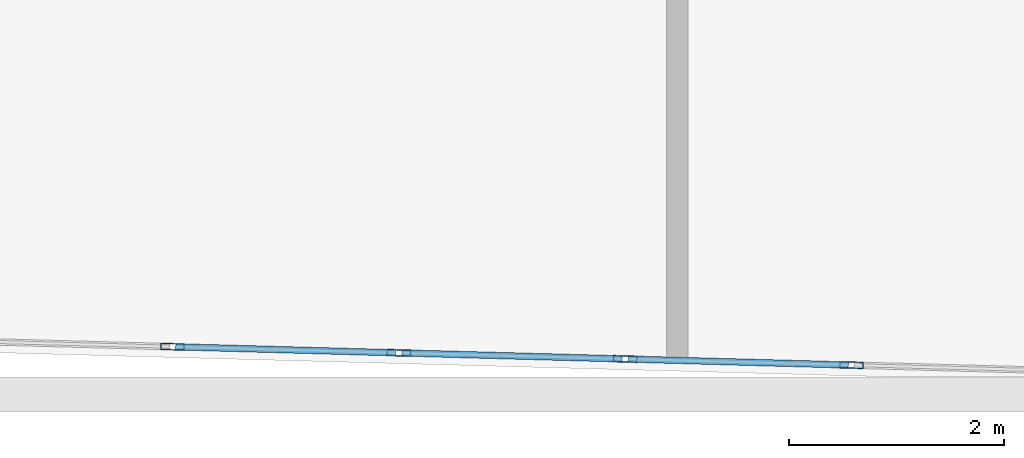
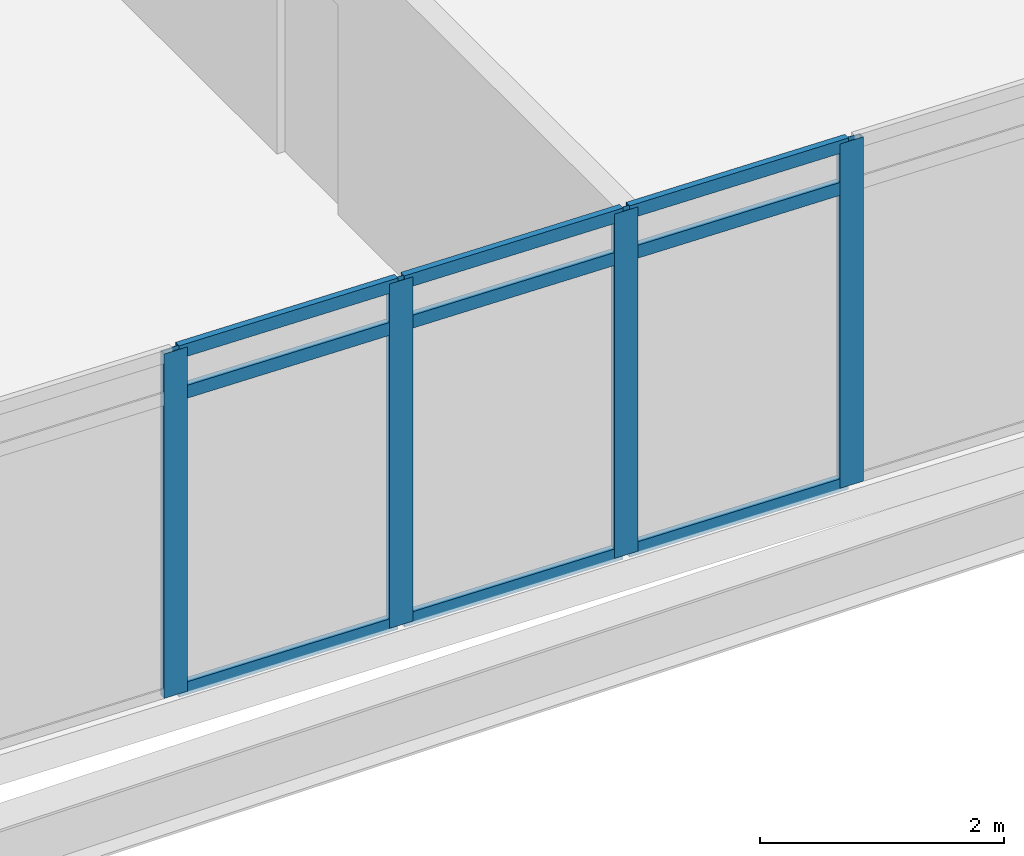
# One storey, part 7 of 28: 13 members, 1 element without a shape of its own.
"""IFC4 building model written with IfcOpenShell, lengths in metres."""

from ifc_helpers import new_model, si_unit, direction, frame, origin, origin_2d, place, context, subcontext, project, spatial, hollow_rectangle, extrude, material, material_profile, profile_set, type_object, element, aggregate, save


model = new_model("IFC4")

# Units and contexts
model_context = context("Model", 3, precision=1e-05, world=origin(), true_north=direction((0.0, 1.0)))
body_context = subcontext(model_context, "Body", "Model", "MODEL_VIEW")
ifc_project = project(units=[si_unit("LENGTHUNIT", "METRE"), si_unit("AREAUNIT", "SQUARE_METRE"), si_unit("VOLUMEUNIT", "CUBIC_METRE"), si_unit("PLANEANGLEUNIT", "RADIAN"), si_unit("MASSUNIT", "GRAM", prefix="KILO")], contexts=[model_context])

# Site, building, storey
site_placement = place(None, origin())
site = spatial("IfcSite", under=ifc_project, at=site_placement, CompositionType="ELEMENT")
building_placement = place(site_placement, origin())
building = spatial("IfcBuilding", under=site, at=building_placement, Name="Ostrander Bayou Hotel Tower", CompositionType="ELEMENT")
storey_placement = place(building_placement, frame((0.0, 0.0, 73.0)))
storey = spatial("IfcBuildingStorey", under=building, at=storey_placement, Name="L18", CompositionType="ELEMENT", Elevation=73.0)

# Curtain wall, members
ifc_material_1 = material(Name="Aluminium and clear glass", Category="aluminium")
curtain_wall_type = type_object("IfcCurtainWallType", Name="CW-BAR glazed wall", PredefinedType="NOTDEFINED", material=ifc_material_1)
curtain_wall_placement = place(storey_placement, origin())
curtain_wall = element("IfcCurtainWall", 1, at=curtain_wall_placement, inside=storey, type_object=curtain_wall_type, Name="CW-BAR L18:SB1S:T", PredefinedType="NOTDEFINED")
ifc_material_2 = material(Name="Aluminium", Category="aluminium")
ifc_material_profile_1 = material_profile(ifc_material_2, hollow_rectangle(XDim=0.06005859375, YDim=0.219970703125, WallThickness=0.00390625, at=origin_2d()))
ifc_profile_set_1 = profile_set([ifc_material_profile_1], Name="Aluminium")
member_type_1 = type_object("IfcMemberType", Name="CW-BR mullion 60 x 220 mm", PredefinedType="MULLION", material=ifc_profile_set_1)
member_1_placement = place(storey_placement, frame((2.101806640625, -32.5068359375, 0.0), z_axis=(0.0, 0.0, 1.0), x_axis=(0.027042484848, 0.999634285133, 0.0)))
member_1 = element("IfcMember", 2, at=member_1_placement, type_object=member_type_1, Name="CW-BAR mullion 9", PredefinedType="MULLION", context=body_context, shape_type="SweptSolid", body=[
    extrude(hollow_rectangle(XDim=0.06005859375, YDim=0.219970703125, WallThickness=0.00390625, at=origin_2d()), origin(), (0.0, 0.0, 1.0), 3.449951171875),
])
member_2_placement = place(storey_placement, frame((4.203369140625, -32.563720703125, 0.0), z_axis=(0.0, 0.0, 1.0), x_axis=(0.027042484848, 0.999634285133, 0.0)))
member_2 = element("IfcMember", 3, at=member_2_placement, type_object=member_type_1, Name="CW-BAR mullion 10", PredefinedType="MULLION", context=body_context, shape_type="SweptSolid", body=[
    extrude(hollow_rectangle(XDim=0.06005859375, YDim=0.219970703125, WallThickness=0.00390625, at=origin_2d()), origin(), (0.0, 0.0, 1.0), 3.449951171875),
])
member_3_placement = place(storey_placement, frame((6.30517578125, -32.62060546875, 0.0), z_axis=(0.0, 0.0, 1.0), x_axis=(0.027042484848, 0.999634285133, 0.0)))
member_3 = element("IfcMember", 4, at=member_3_placement, type_object=member_type_1, Name="CW-BAR mullion 11", PredefinedType="MULLION", context=body_context, shape_type="SweptSolid", body=[
    extrude(hollow_rectangle(XDim=0.06005859375, YDim=0.219970703125, WallThickness=0.00390625, at=origin_2d()), origin(), (0.0, 0.0, 1.0), 3.449951171875),
])
member_4_placement = place(storey_placement, frame((8.406982421875, -32.677490234375, 0.0), z_axis=(0.0, 0.0, 1.0), x_axis=(0.027042484848, 0.999634285133, 0.0)))
member_4 = element("IfcMember", 5, at=member_4_placement, type_object=member_type_1, Name="CW-BAR mullion 12", PredefinedType="MULLION", context=body_context, shape_type="SweptSolid", body=[
    extrude(hollow_rectangle(XDim=0.06005859375, YDim=0.219970703125, WallThickness=0.00390625, at=origin_2d()), origin(), (0.0, 0.0, 1.0), 3.449951171875),
])
ifc_material_3 = material(Name="Aluminium", Category="aluminium")
ifc_material_profile_2 = material_profile(ifc_material_3, hollow_rectangle(XDim=0.06005859375, YDim=0.1298828125, WallThickness=0.00390625, at=origin_2d()))
ifc_profile_set_2 = profile_set([ifc_material_profile_2], Name="Aluminium")
member_type_2 = type_object("IfcMemberType", Name="CW-BR transom 60 x 130 mm", PredefinedType="USERDEFINED", material=ifc_profile_set_2)
member_5_placement = place(storey_placement, frame((2.1318359375, -32.507568359375, 0.030029296875), z_axis=(0.999631822175, -0.027133376017, 0.0), x_axis=(0.027133376017, 0.999631822175, 0.0)))
member_5 = element("IfcMember", 6, at=member_5_placement, type_object=member_type_2, Name="CW-BAR transom 9.1", ObjectType="TRANSOM", PredefinedType="USERDEFINED", context=body_context, shape_type="SweptSolid", body=[
    extrude(hollow_rectangle(XDim=0.06005859375, YDim=0.1298828125, WallThickness=0.00390625, at=origin_2d()), origin(), (0.0, 0.0, 1.0), 2.04248046875),
])
member_6_placement = place(storey_placement, frame((2.1318359375, -32.507568359375, 3.0), z_axis=(0.999631822175, -0.027133376017, 0.0), x_axis=(0.027133376017, 0.999631822175, 0.0)))
member_6 = element("IfcMember", 7, at=member_6_placement, type_object=member_type_2, Name="CW-BAR transom 9.2", ObjectType="TRANSOM", PredefinedType="USERDEFINED", context=body_context, shape_type="SweptSolid", body=[
    extrude(hollow_rectangle(XDim=0.06005859375, YDim=0.1298828125, WallThickness=0.00390625, at=origin_2d()), origin(), (0.0, 0.0, 1.0), 2.04248046875),
])
member_7_placement = place(storey_placement, frame((2.1318359375, -32.507568359375, 3.419921875), z_axis=(0.999631822175, -0.027133376017, 0.0), x_axis=(0.027133376017, 0.999631822175, 0.0)))
member_7 = element("IfcMember", 8, at=member_7_placement, type_object=member_type_2, Name="CW-BAR transom 9.3", ObjectType="TRANSOM", PredefinedType="USERDEFINED", context=body_context, shape_type="SweptSolid", body=[
    extrude(hollow_rectangle(XDim=0.06005859375, YDim=0.1298828125, WallThickness=0.00390625, at=origin_2d()), origin(), (0.0, 0.0, 1.0), 2.04248046875),
])
member_8_placement = place(storey_placement, frame((4.2333984375, -32.564453125, 0.030029296875), z_axis=(0.999631822175, -0.027133376017, 0.0), x_axis=(0.027133376017, 0.999631822175, 0.0)))
member_8 = element("IfcMember", 9, at=member_8_placement, type_object=member_type_2, Name="CW-BAR transom 10.1", ObjectType="TRANSOM", PredefinedType="USERDEFINED", context=body_context, shape_type="SweptSolid", body=[
    extrude(hollow_rectangle(XDim=0.06005859375, YDim=0.1298828125, WallThickness=0.00390625, at=origin_2d()), origin(), (0.0, 0.0, 1.0), 2.04248046875),
])
member_9_placement = place(storey_placement, frame((4.2333984375, -32.564453125, 3.0), z_axis=(0.999631822175, -0.027133376017, 0.0), x_axis=(0.027133376017, 0.999631822175, 0.0)))
member_9 = element("IfcMember", 10, at=member_9_placement, type_object=member_type_2, Name="CW-BAR transom 10.2", ObjectType="TRANSOM", PredefinedType="USERDEFINED", context=body_context, shape_type="SweptSolid", body=[
    extrude(hollow_rectangle(XDim=0.06005859375, YDim=0.1298828125, WallThickness=0.00390625, at=origin_2d()), origin(), (0.0, 0.0, 1.0), 2.04248046875),
])
member_10_placement = place(storey_placement, frame((4.2333984375, -32.564453125, 3.419921875), z_axis=(0.999631822175, -0.027133376017, 0.0), x_axis=(0.027133376017, 0.999631822175, 0.0)))
member_10 = element("IfcMember", 11, at=member_10_placement, type_object=member_type_2, Name="CW-BAR transom 10.3", ObjectType="TRANSOM", PredefinedType="USERDEFINED", context=body_context, shape_type="SweptSolid", body=[
    extrude(hollow_rectangle(XDim=0.06005859375, YDim=0.1298828125, WallThickness=0.00390625, at=origin_2d()), origin(), (0.0, 0.0, 1.0), 2.04248046875),
])
member_11_placement = place(storey_placement, frame((6.335205078125, -32.621337890625, 0.030029296875), z_axis=(0.999635057116, -0.027013933147, 0.0), x_axis=(0.027013933147, 0.999635057116, 0.0)))
member_11 = element("IfcMember", 12, at=member_11_placement, type_object=member_type_2, Name="CW-BAR transom 11.1", ObjectType="TRANSOM", PredefinedType="USERDEFINED", context=body_context, shape_type="SweptSolid", body=[
    extrude(hollow_rectangle(XDim=0.06005859375, YDim=0.1298828125, WallThickness=0.00390625, at=origin_2d()), origin(), (0.0, 0.0, 1.0), 2.04248046875),
])
member_12_placement = place(storey_placement, frame((6.335205078125, -32.621337890625, 3.0), z_axis=(0.999635057116, -0.027013933147, 0.0), x_axis=(0.027013933147, 0.999635057116, 0.0)))
member_12 = element("IfcMember", 13, at=member_12_placement, type_object=member_type_2, Name="CW-BAR transom 11.2", ObjectType="TRANSOM", PredefinedType="USERDEFINED", context=body_context, shape_type="SweptSolid", body=[
    extrude(hollow_rectangle(XDim=0.06005859375, YDim=0.1298828125, WallThickness=0.00390625, at=origin_2d()), origin(), (0.0, 0.0, 1.0), 2.04248046875),
])
member_13_placement = place(storey_placement, frame((6.335205078125, -32.621337890625, 3.419921875), z_axis=(0.999635057116, -0.027013933147, 0.0), x_axis=(0.027013933147, 0.999635057116, 0.0)))
member_13 = element("IfcMember", 14, at=member_13_placement, type_object=member_type_2, Name="CW-BAR transom 11.3", ObjectType="TRANSOM", PredefinedType="USERDEFINED", context=body_context, shape_type="SweptSolid", body=[
    extrude(hollow_rectangle(XDim=0.06005859375, YDim=0.1298828125, WallThickness=0.00390625, at=origin_2d()), origin(), (0.0, 0.0, 1.0), 2.04248046875),
])
aggregate(curtain_wall, [member_1, member_2, member_3, member_4, member_5, member_6, member_7, member_8, member_9, member_10, member_11, member_12, member_13])

save(model, "model.ifc")
